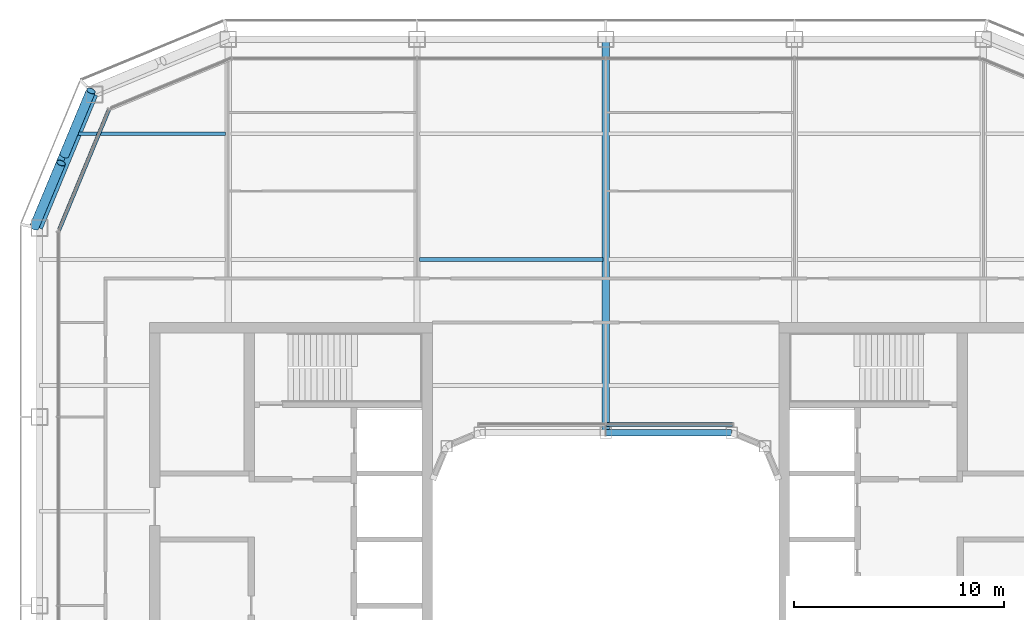
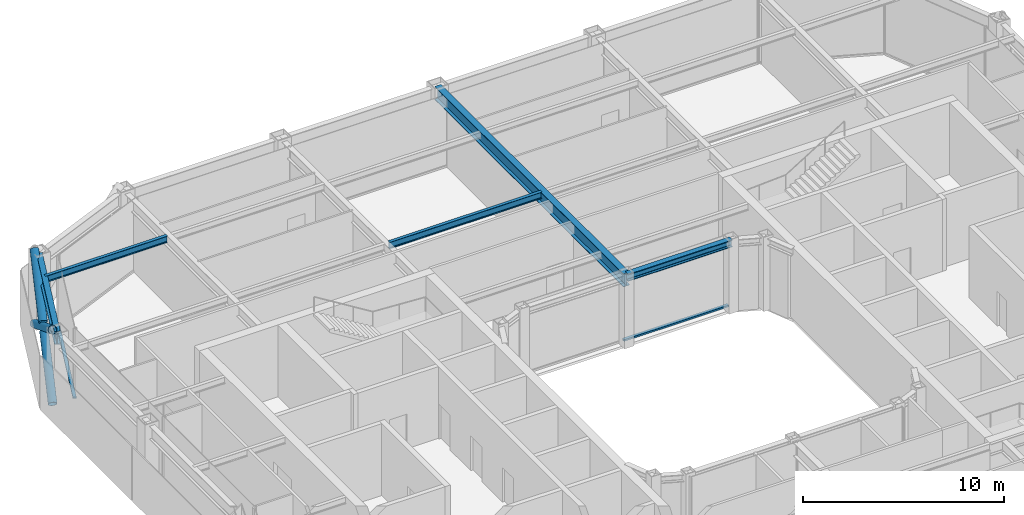
# One storey, part 7 of 23: 5 beams, 5 members, 2 elements without a shape of their own.
"""IFC4 building model written with IfcOpenShell, lengths in metres."""

from ifc_helpers import new_model, si_unit, direction, frame, origin, origin_2d, place, context, subcontext, project, spatial, rectangle, hollow_circle, i_section, extrude, material, layer, layer_set, material_profile, profile_set, type_object, element, aggregate, save


model = new_model("IFC4")

# Units and contexts
model_context = context("Model", 3, precision=1e-05, world=origin(), true_north=direction((0.0, 1.0)))
body_context = subcontext(model_context, "Body", "Model", "MODEL_VIEW")
ifc_project = project(units=[si_unit("LENGTHUNIT", "METRE"), si_unit("AREAUNIT", "SQUARE_METRE"), si_unit("VOLUMEUNIT", "CUBIC_METRE"), si_unit("PLANEANGLEUNIT", "RADIAN"), si_unit("MASSUNIT", "GRAM", prefix="KILO")], contexts=[model_context])

# Site, building, storey
site_placement = place(None, origin())
site = spatial("IfcSite", under=ifc_project, at=site_placement, CompositionType="ELEMENT")
building_placement = place(site_placement, origin())
building = spatial("IfcBuilding", under=site, at=building_placement, Name="Siwar Civic Tower", CompositionType="ELEMENT")
storey_placement = place(building_placement, frame((0.0, 0.0, 237.699951171875)))
storey = spatial("IfcBuildingStorey", under=building, at=storey_placement, Name="L51", CompositionType="ELEMENT", Elevation=237.699951171875)

# Curtain wall, member
ifc_material_1 = material(Name="Aluminium clad insulated panel", Category="aluminium")
ifc_layer_1 = layer(ifc_material_1, 0.179931640625)
ifc_layer_set_1 = layer_set([ifc_layer_1], Name="Aluminium clad insulated panel")
curtain_wall_type_1 = type_object("IfcCurtainWallType", Name="ENV-CW-CX", PredefinedType="NOTDEFINED", material=ifc_layer_set_1)
curtain_wall_1_placement = place(storey_placement, origin())
curtain_wall_1 = element("IfcCurtainWall", 1, at=curtain_wall_1_placement, inside=storey, type_object=curtain_wall_type_1, Name="Curtain wall C NW2", PredefinedType="NOTDEFINED")
ifc_material_2 = material(Name="Aluminium 6063-T6", Category="aluminium")
ifc_material_profile_1 = material_profile(ifc_material_2, rectangle(XDim=0.179931640625, YDim=0.10009765625, at=origin_2d()), Name="AL 180x100")
ifc_profile_set_1 = profile_set([ifc_material_profile_1], Name="Aluminium 6063-T6")
member_type_1 = type_object("IfcMemberType", Name="ENV-TRANSOM-C", PredefinedType="USERDEFINED", material=ifc_profile_set_1)
member_1_placement = place(storey_placement, frame((-23.6865234375, 23.6474609375, 0.050048828125), z_axis=(-0.382691366456, -0.923876246063, 0.0), x_axis=(0.923876246063, -0.382691366456, 0.0)))
member_1 = element("IfcMember", 2, at=member_1_placement, type_object=member_type_1, Name="Transom C NW2 1", ObjectType="TRANSOM", PredefinedType="USERDEFINED", context=body_context, shape_type="SweptSolid", body=[
    extrude(rectangle(XDim=0.179931640625, YDim=0.10009765625, at=origin_2d()), origin(), (0.0, 0.0, 1.0), 6.20166015625),
])
aggregate(curtain_wall_1, [member_1])

ifc_material_3 = material(Name="Aluminium and glass", Category="aluminium")
ifc_layer_2 = layer(ifc_material_3, 0.179931640625)
ifc_layer_set_2 = layer_set([ifc_layer_2], Name="Aluminium and glass")
curtain_wall_type_2 = type_object("IfcCurtainWallType", Name="ENV-CW-W", PredefinedType="NOTDEFINED", material=ifc_layer_set_2)
curtain_wall_2_placement = place(storey_placement, origin())
curtain_wall_2 = element("IfcCurtainWall", 3, at=curtain_wall_2_placement, inside=storey, type_object=curtain_wall_type_2, Name="Curtain wall W WN", PredefinedType="NOTDEFINED")
ifc_material_4 = material(Name="Aluminium 6063-T6", Category="aluminium")
ifc_material_profile_2 = material_profile(ifc_material_4, rectangle(XDim=0.179931640625, YDim=0.10009765625, at=origin_2d()), Name="AL 180x100")
ifc_profile_set_2 = profile_set([ifc_material_profile_2], Name="Aluminium 6063-T6")
member_type_2 = type_object("IfcMemberType", Name="ENV-TRANSOM-W", PredefinedType="USERDEFINED", material=ifc_profile_set_2)
member_2_placement = place(storey_placement, frame((6.046630859375, 8.635009765625, 0.050048828125), z_axis=(-1.0, 0.0, 0.0), x_axis=(0.0, -1.0, 0.0)))
member_2 = element("IfcMember", 4, at=member_2_placement, type_object=member_type_2, Name="Transom W WN 1", ObjectType="TRANSOM", PredefinedType="USERDEFINED", context=body_context, shape_type="SweptSolid", body=[
    extrude(rectangle(XDim=0.179931640625, YDim=0.10009765625, at=origin_2d()), origin(), (0.0, 0.0, 1.0), 6.0166015625),
])
aggregate(curtain_wall_2, [member_2])

# Members
ifc_material_5 = material(Name="Steel S355", Category="steel")
ifc_material_profile_3 = material_profile(ifc_material_5, hollow_circle(Radius=0.228515625, WallThickness=0.02001953125, at=origin_2d()), Name="CHS457x20")
ifc_profile_set_3 = profile_set([ifc_material_profile_3], Name="Steel S355")
member_type_3 = type_object("IfcMemberType", Name="STR-BR-CHS457x20", PredefinedType="BRACE", material=ifc_profile_set_3)
member_3_placement = place(storey_placement, frame((-24.540771484375, 24.540771484375, 0.0), z_axis=(-0.323905527954, -0.777554562952, 0.538975055633), x_axis=(0.923108759191, -0.384538969033, 0.0)))
element("IfcMember", 5, at=member_3_placement, inside=storey, type_object=member_type_3, Name="L51/brc/CNW1-11-0-1", PredefinedType="BRACE", context=body_context, shape_type="SweptSolid", body=[
    extrude(hollow_circle(Radius=0.228515625, WallThickness=0.02001953125, at=origin_2d()), origin(), (0.0, 0.0, 1.0), 8.34912109375),
])
for number, where, z_axis, x_axis, name in (
    (6, (-27.2451171875, 18.048828125, 0.0), (0.323884455881, 0.777546448489, 0.538999424564), (-0.92311621485, 0.38452107079, 0.0), "L51/brc/CNW1-11-0-2"),
    (7, (-25.81298828125, 21.486572265625, 2.383056640625), (0.323895306243, 0.777572496853, 0.538955325357), (-0.92311621485, 0.38452107079, 0.0), "L51/brc/CNW1-11-0-3"),
):
    element("IfcMember", number, at=place(storey_placement, frame(where, z_axis=z_axis, x_axis=x_axis)), inside=storey, type_object=member_type_3, Name=name, PredefinedType="BRACE", context=body_context, shape_type="SweptSolid", body=[
        extrude(hollow_circle(Radius=0.228515625, WallThickness=0.02001953125, at=origin_2d()), origin(), (0.0, 0.0, 1.0), 3.927978515625),
    ])

# Beams
ifc_material_6 = material(Name="Steel S355", Category="steel")
ifc_material_profile_4 = material_profile(ifc_material_6, i_section(OverallWidth=0.179931640625, OverallDepth=0.39990234375, WebThickness=0.008544921875, FlangeThickness=0.013427734375, FilletRadius=0.02099609375, at=origin_2d()), Name="IPE400")
ifc_profile_set_4 = profile_set([ifc_material_profile_4], Name="Steel S355")
beam_type_1 = type_object("IfcBeamType", Name="STR-FB-IPE400", PredefinedType="JOIST", material=ifc_profile_set_4)
beam_1_placement = place(storey_placement, frame((-8.8701171875, 16.5, 4.150146484375), z_axis=(1.0, 0.0, 0.0), x_axis=(0.0, 1.0, 0.0)))
element("IfcBeam", 8, at=beam_1_placement, inside=storey, type_object=beam_type_1, Name="L51/bm/F033", PredefinedType="JOIST", context=body_context, shape_type="SweptSolid", body=[
    extrude(i_section(OverallWidth=0.179931640625, OverallDepth=0.39990234375, WebThickness=0.008544921875, FlangeThickness=0.013427734375, FilletRadius=0.02099609375, at=origin_2d()), origin(), (0.0, 0.0, 1.0), 8.740234375),
])
beam_2_placement = place(storey_placement, frame((-25.135986328125, 22.5, 4.150146484375), z_axis=(1.0, 0.0, 0.0), x_axis=(0.0, 1.0, 0.0)))
element("IfcBeam", 9, at=beam_2_placement, inside=storey, type_object=beam_type_1, Name="L51/bm/F037", PredefinedType="JOIST", context=body_context, shape_type="SweptSolid", body=[
    extrude(i_section(OverallWidth=0.179931640625, OverallDepth=0.39990234375, WebThickness=0.008544921875, FlangeThickness=0.013427734375, FilletRadius=0.02099609375, at=origin_2d()), origin(), (0.0, 0.0, 1.0), 7.006103515625),
])
ifc_material_7 = material(Name="Steel S355", Category="steel")
ifc_material_profile_5 = material_profile(ifc_material_7, i_section(OverallWidth=0.360107421875, OverallDepth=0.800048828125, WebThickness=0.013916015625, FlangeThickness=0.031982421875, at=origin_2d()), Name="PG800x360x14x32")
ifc_profile_set_5 = profile_set([ifc_material_profile_5], Name="Steel S355")
beam_type_2 = type_object("IfcBeamType", Name="STR-PG-PG800x360x14x32", PredefinedType="BEAM", material=ifc_profile_set_5)
beam_3_placement = place(storey_placement, frame((0.0, 8.25, 3.949951171875), z_axis=(0.0, 1.0, 0.0), x_axis=(-1.0, 0.0, 0.0)))
element("IfcBeam", 10, at=beam_3_placement, inside=storey, type_object=beam_type_2, Name="L51/bm/G06", PredefinedType="BEAM", context=body_context, shape_type="SweptSolid", body=[
    extrude(i_section(OverallWidth=0.360107421875, OverallDepth=0.800048828125, WebThickness=0.013916015625, FlangeThickness=0.031982421875, at=origin_2d()), origin(), (0.0, 0.0, 1.0), 18.75),
])
ifc_material_8 = material(Name="Steel S355", Category="steel")
ifc_material_profile_6 = material_profile(ifc_material_8, i_section(OverallWidth=0.306884765625, OverallDepth=0.431884765625, WebThickness=0.02099609375, FlangeThickness=0.0400390625, FilletRadius=0.027099609375, at=origin_2d()), Name="HEM400")
ifc_profile_set_6 = profile_set([ifc_material_profile_6], Name="Steel S355")
beam_type_3 = type_object("IfcBeamType", Name="STR-RB-HEM400", PredefinedType="BEAM", material=ifc_profile_set_6)
beam_4_placement = place(storey_placement, frame((0.0, 8.25, 4.134033203125), z_axis=(1.0, 0.0, 0.0), x_axis=(0.0, 1.0, 0.0)))
element("IfcBeam", 11, at=beam_4_placement, inside=storey, type_object=beam_type_3, Name="L51/bm/RN2", PredefinedType="BEAM", context=body_context, shape_type="SweptSolid", body=[
    extrude(i_section(OverallWidth=0.306884765625, OverallDepth=0.431884765625, WebThickness=0.02099609375, FlangeThickness=0.0400390625, FilletRadius=0.027099609375, at=origin_2d()), origin(), (0.0, 0.0, 1.0), 6.0),
])
ifc_material_9 = material(Name="Steel S355", Category="steel")
ifc_material_profile_7 = material_profile(ifc_material_9, i_section(OverallWidth=0.300048828125, OverallDepth=0.800048828125, WebThickness=0.017578125, FlangeThickness=0.032958984375, FilletRadius=0.030029296875, at=origin_2d()), Name="HEB800")
ifc_profile_set_7 = profile_set([ifc_material_profile_7], Name="Steel S355")
beam_type_4 = type_object("IfcBeamType", Name="STR-SB-HEB800", PredefinedType="BEAM", material=ifc_profile_set_7)
beam_5_placement = place(storey_placement, frame((-24.364013671875, 24.364013671875, 3.949951171875), z_axis=(-0.382674207535, -0.923883353507, 0.0), x_axis=(0.923883353507, -0.382674207535, 0.0)))
element("IfcBeam", 12, at=beam_5_placement, inside=storey, type_object=beam_type_4, Name="L51/bm/SNW2-0", PredefinedType="BEAM", context=body_context, shape_type="SweptSolid", body=[
    extrude(i_section(OverallWidth=0.300048828125, OverallDepth=0.800048828125, WebThickness=0.017578125, FlangeThickness=0.032958984375, FilletRadius=0.030029296875, at=origin_2d()), origin(), (0.0, 0.0, 1.0), 6.888427734375),
])

save(model, "model.ifc")
